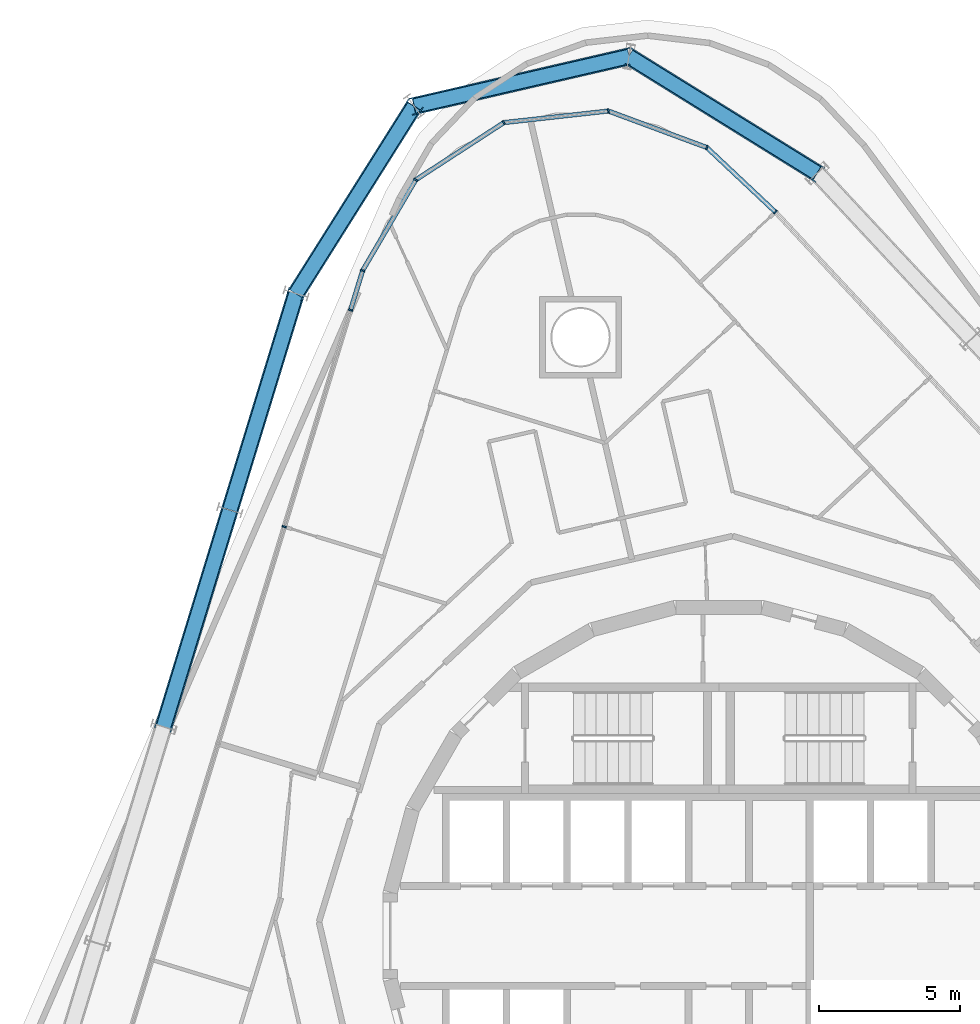
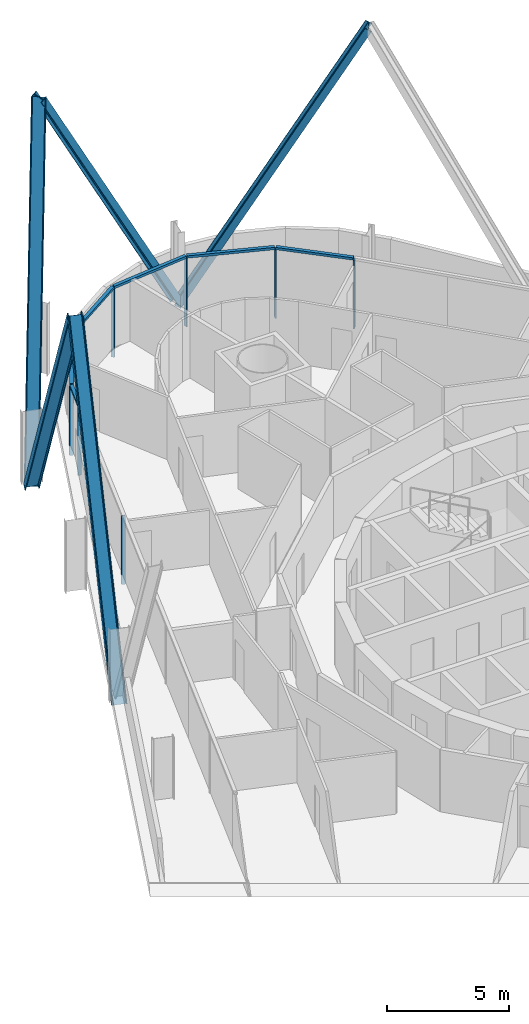
# One storey, part 8 of 18: 19 members, 2 elements without a shape of their own.
"""IFC4 building model written with IfcOpenShell, lengths in metres."""

from ifc_helpers import new_model, si_unit, direction, frame, origin, origin_2d, place, context, subcontext, project, spatial, rectangle, i_section, extrude, material, layer, layer_set, material_profile, profile_set, type_object, element, aggregate, save


model = new_model("IFC4")

# Units and contexts
model_context = context("Model", 3, precision=1e-05, world=origin(), true_north=direction((0.0, 1.0)))
body_context = subcontext(model_context, "Body", "Model", "MODEL_VIEW")
ifc_project = project(units=[si_unit("LENGTHUNIT", "METRE"), si_unit("AREAUNIT", "SQUARE_METRE"), si_unit("VOLUMEUNIT", "CUBIC_METRE"), si_unit("PLANEANGLEUNIT", "RADIAN"), si_unit("MASSUNIT", "GRAM", prefix="KILO")], contexts=[model_context])

# Site, building, storey
site_placement = place(None, origin())
site = spatial("IfcSite", under=ifc_project, at=site_placement, CompositionType="ELEMENT")
building_placement = place(site_placement, origin())
building = spatial("IfcBuilding", under=site, at=building_placement, Name="Spindle Arch Residences", CompositionType="ELEMENT")
storey_placement = place(building_placement, frame((0.0, 0.0, 113.39990234375)))
storey = spatial("IfcBuildingStorey", under=building, at=storey_placement, Name="L27", CompositionType="ELEMENT", Elevation=113.39990234375)

# Curtain wall, members
ifc_material_1 = material(Name="Aluminium bronze unitised frame with tinted glass", Category="aluminium")
ifc_layer_1 = layer(ifc_material_1, 0.159912109375)
ifc_layer_set_1 = layer_set([ifc_layer_1], Name="CW-D corner wall on the fillet arcs")
curtain_wall_type_1 = type_object("IfcCurtainWallType", Name="CW-D corner wall on the fillet arcs", PredefinedType="NOTDEFINED", material=ifc_layer_set_1)
curtain_wall_1_placement = place(storey_placement, origin())
curtain_wall_1 = element("IfcCurtainWall", 1, at=curtain_wall_1_placement, inside=storey, type_object=curtain_wall_type_1, Name="CW-D L27 run 3", PredefinedType="NOTDEFINED")
ifc_material_2 = material(Name="Aluminium bronze anodised mullion", Category="aluminium")
ifc_material_profile_1 = material_profile(ifc_material_2, rectangle(XDim=0.159912109375, YDim=0.06005859375, at=origin_2d()), Name="MU 60x160")
ifc_profile_set_1 = profile_set([ifc_material_profile_1], Name="Aluminium bronze anodised mullion")
member_type_1 = type_object("IfcMemberType", Name="Bronze mullion 60x160", PredefinedType="MULLION", material=ifc_profile_set_1)
member_1_placement = place(storey_placement, frame((2.010009765625, 25.6611328125, -0.449951171875), z_axis=(0.0, 0.0, 1.0), x_axis=(-0.685289870681, -0.728270412102, 0.0)))
member_1 = element("IfcMember", 2, at=member_1_placement, type_object=member_type_1, Name="CW-D mullion 00", PredefinedType="MULLION", context=body_context, shape_type="SweptSolid", body=[
    extrude(rectangle(XDim=0.159912109375, YDim=0.06005859375, at=origin_2d()), origin(), (0.0, 0.0, 1.0), 3.449951171875),
])
member_2_placement = place(storey_placement, frame((-0.420654296875, 27.9482421875, -0.449951171875), z_axis=(0.0, 0.0, 1.0), x_axis=(-0.347481235896, -0.937686936403, 0.0)))
member_2 = element("IfcMember", 3, at=member_2_placement, type_object=member_type_1, Name="CW-D mullion 01", PredefinedType="MULLION", context=body_context, shape_type="SweptSolid", body=[
    extrude(rectangle(XDim=0.159912109375, YDim=0.06005859375, at=origin_2d()), origin(), (0.0, 0.0, 1.0), 3.449951171875),
])
member_3_placement = place(storey_placement, frame((-3.9150390625, 29.243408203125, -0.449951171875), z_axis=(0.0, 0.0, 1.0), x_axis=(0.110312556619, -0.993896946294, 0.0)))
member_3 = element("IfcMember", 4, at=member_3_placement, type_object=member_type_1, Name="CW-D mullion 02", PredefinedType="MULLION", context=body_context, shape_type="SweptSolid", body=[
    extrude(rectangle(XDim=0.159912109375, YDim=0.06005859375, at=origin_2d()), origin(), (0.0, 0.0, 1.0), 3.449951171875),
])
member_4_placement = place(storey_placement, frame((-7.619140625, 28.832275390625, -0.449951171875), z_axis=(0.0, 0.0, 1.0), x_axis=(0.544639035308, -0.838670567755, 0.0)))
member_4 = element("IfcMember", 5, at=member_4_placement, type_object=member_type_1, Name="CW-D mullion 03", PredefinedType="MULLION", context=body_context, shape_type="SweptSolid", body=[
    extrude(rectangle(XDim=0.159912109375, YDim=0.06005859375, at=origin_2d()), origin(), (0.0, 0.0, 1.0), 3.449951171875),
])
member_5_placement = place(storey_placement, frame((-10.74462890625, 26.802490234375, -0.449951171875), z_axis=(0.0, 0.0, 1.0), x_axis=(0.863101880723, -0.505029844161, 0.0)))
member_5 = element("IfcMember", 6, at=member_5_placement, type_object=member_type_1, Name="CW-D mullion 04", PredefinedType="MULLION", context=body_context, shape_type="SweptSolid", body=[
    extrude(rectangle(XDim=0.159912109375, YDim=0.06005859375, at=origin_2d()), origin(), (0.0, 0.0, 1.0), 3.449951171875),
])
member_6_placement = place(storey_placement, frame((-12.626708984375, 23.5859375, -0.449951171875), z_axis=(0.0, 0.0, 1.0), x_axis=(0.956304755963, -0.292371704723, 0.0)))
member_6 = element("IfcMember", 7, at=member_6_placement, type_object=member_type_1, Name="CW-D mullion 05", PredefinedType="MULLION", context=body_context, shape_type="SweptSolid", body=[
    extrude(rectangle(XDim=0.159912109375, YDim=0.06005859375, at=origin_2d()), origin(), (0.0, 0.0, 1.0), 3.449951171875),
])

ifc_material_3 = material(Name="Aluminium bronze unitised frame with tinted glass", Category="aluminium")
ifc_layer_2 = layer(ifc_material_3, 0.159912109375)
ifc_layer_set_2 = layer_set([ifc_layer_2], Name="CW-C typical residential unitised wall")
curtain_wall_type_2 = type_object("IfcCurtainWallType", Name="CW-C typical residential unitised wall", PredefinedType="NOTDEFINED", material=ifc_layer_set_2)
curtain_wall_2_placement = place(storey_placement, origin())
curtain_wall_2 = element("IfcCurtainWall", 8, at=curtain_wall_2_placement, inside=storey, type_object=curtain_wall_type_2, Name="CW-C L27 run 4", PredefinedType="NOTDEFINED")
member_7_placement = place(storey_placement, frame((-13.0556640625, 22.182861328125, -0.449951171875), z_axis=(0.0, 0.0, 1.0), x_axis=(0.956304755963, -0.292371704723, 0.0)))
member_7 = element("IfcMember", 9, at=member_7_placement, type_object=member_type_1, Name="CW-C mullion 12", PredefinedType="MULLION", context=body_context, shape_type="SweptSolid", body=[
    extrude(rectangle(XDim=0.159912109375, YDim=0.06005859375, at=origin_2d()), origin(), (0.0, 0.0, 1.0), 3.449951171875),
])
member_8_placement = place(storey_placement, frame((-15.4033203125, 14.504638671875, -0.449951171875), z_axis=(0.0, 0.0, 1.0), x_axis=(0.956304755963, -0.292371704723, 0.0)))
member_8 = element("IfcMember", 10, at=member_8_placement, type_object=member_type_1, Name="CW-C mullion 13", PredefinedType="MULLION", context=body_context, shape_type="SweptSolid", body=[
    extrude(rectangle(XDim=0.159912109375, YDim=0.06005859375, at=origin_2d()), origin(), (0.0, 0.0, 1.0), 3.449951171875),
])
aggregate(curtain_wall_2, [member_7, member_8])

# Member
ifc_material_4 = material(Name="Aluminium bronze anodised transom", Category="aluminium")
ifc_material_profile_2 = material_profile(ifc_material_4, rectangle(XDim=0.159912109375, YDim=0.1201171875, at=origin_2d()), Name="TR 120x160")
ifc_profile_set_2 = profile_set([ifc_material_profile_2], Name="Aluminium bronze anodised transom")
member_type_2 = type_object("IfcMemberType", Name="Bronze transom 120x160", PredefinedType="USERDEFINED", material=ifc_profile_set_2)
member_9_placement = place(storey_placement, frame((1.98828125, 25.681640625, 3.06005859375), z_axis=(-0.72826996669, 0.685290344027, 0.0), x_axis=(-0.685290344027, -0.72826996669, 0.0)))
member_9 = element("IfcMember", 11, at=member_9_placement, type_object=member_type_2, Name="CW-D transom 00", ObjectType="TRANSOM", PredefinedType="USERDEFINED", context=body_context, shape_type="SweptSolid", body=[
    extrude(rectangle(XDim=0.159912109375, YDim=0.1201171875, at=origin_2d()), origin(), (0.0, 0.0, 1.0), 3.277587890625),
])

member_10_placement = place(storey_placement, frame((-0.44873046875, 27.958740234375, 3.06005859375), z_axis=(-0.937682080581, 0.347494339172, 0.0), x_axis=(-0.347494339172, -0.937682080581, 0.0)))
member_10 = element("IfcMember", 12, at=member_10_placement, type_object=member_type_2, Name="CW-D transom 01", ObjectType="TRANSOM", PredefinedType="USERDEFINED", context=body_context, shape_type="SweptSolid", body=[
    extrude(rectangle(XDim=0.159912109375, YDim=0.1201171875, at=origin_2d()), origin(), (0.0, 0.0, 1.0), 3.666748046875),
])

member_11_placement = place(storey_placement, frame((-3.945068359375, 29.239990234375, 3.06005859375), z_axis=(-0.993895097359, -0.110329213929, 0.0), x_axis=(0.110329213929, -0.993895097359, 0.0)))
member_11 = element("IfcMember", 13, at=member_11_placement, type_object=member_type_2, Name="CW-D transom 02", ObjectType="TRANSOM", PredefinedType="USERDEFINED", context=body_context, shape_type="SweptSolid", body=[
    extrude(rectangle(XDim=0.159912109375, YDim=0.1201171875, at=origin_2d()), origin(), (0.0, 0.0, 1.0), 3.666748046875),
])

member_12_placement = place(storey_placement, frame((-7.644287109375, 28.81591796875, 3.06005859375), z_axis=(-0.838668683676, -0.544641936525, 0.0), x_axis=(0.544641936525, -0.838668683676, 0.0)))
member_12 = element("IfcMember", 14, at=member_12_placement, type_object=member_type_2, Name="CW-D transom 03", ObjectType="TRANSOM", PredefinedType="USERDEFINED", context=body_context, shape_type="SweptSolid", body=[
    extrude(rectangle(XDim=0.159912109375, YDim=0.1201171875, at=origin_2d()), origin(), (0.0, 0.0, 1.0), 3.666748046875),
])

member_13_placement = place(storey_placement, frame((-10.759765625, 26.776611328125, 3.06005859375), z_axis=(-0.505025585574, -0.86310437255, 0.0), x_axis=(0.86310437255, -0.505025585574, 0.0)))
member_13 = element("IfcMember", 15, at=member_13_placement, type_object=member_type_2, Name="CW-D transom 04", ObjectType="TRANSOM", PredefinedType="USERDEFINED", context=body_context, shape_type="SweptSolid", body=[
    extrude(rectangle(XDim=0.159912109375, YDim=0.1201171875, at=origin_2d()), origin(), (0.0, 0.0, 1.0), 3.666748046875),
])

member_14_placement = place(storey_placement, frame((-12.635498046875, 23.55712890625, 3.06005859375), z_axis=(-0.292390464398, -0.956299020354, 0.0), x_axis=(0.956299020354, -0.292390464398, 0.0)))
member_14 = element("IfcMember", 16, at=member_14_placement, type_object=member_type_2, Name="CW-D transom 05", ObjectType="TRANSOM", PredefinedType="USERDEFINED", context=body_context, shape_type="SweptSolid", body=[
    extrude(rectangle(XDim=0.159912109375, YDim=0.1201171875, at=origin_2d()), origin(), (0.0, 0.0, 1.0), 1.406982421875),
])

aggregate(curtain_wall_1, [member_1, member_9, member_2, member_10, member_3, member_11, member_4, member_12, member_5, member_13, member_6, member_14])

# Members
ifc_material_5 = material(Name="Steel S460ML, intumescent coating R 240", Category="steel")
ifc_material_profile_3 = material_profile(ifc_material_5, i_section(OverallWidth=0.304931640625, OverallDepth=0.6201171875, WebThickness=0.02099609375, FlangeThickness=0.0400390625, FilletRadius=0.027099609375, at=origin_2d()), Name="HEM 600")
ifc_profile_set_3 = profile_set([ifc_material_profile_3], Name="Steel S460ML, intumescent coating R 240")
member_type_3 = type_object("IfcMemberType", Name="Diagrid diagonal HEM 600", PredefinedType="BRACE", material=ifc_profile_set_3)
member_15_placement = place(storey_placement, frame((-3.185302734375, 31.177001953125, -0.699951171875), z_axis=(0.41412420879, -0.256829436866, 0.873235237524), x_axis=(-0.742106847152, 0.460236034511, 0.487298902058)))
element("IfcMember", 17, at=member_15_placement, inside=storey, type_object=member_type_3, Name="Diagrid diagonal 3.1.10", PredefinedType="BRACE", context=body_context, shape_type="SweptSolid", body=[
    extrude(i_section(OverallWidth=0.304931640625, OverallDepth=0.6201171875, WebThickness=0.02099609375, FlangeThickness=0.0400390625, FilletRadius=0.027099609375, at=origin_2d()), origin(), (0.0, 0.0, 1.0), 16.112548828125),
])
member_16_placement = place(storey_placement, frame((-3.185302734375, 31.177001953125, -0.699951171875), z_axis=(-0.473315966441, -0.109278095883, 0.874088264234), x_axis=(0.851683665826, 0.196634755416, 0.48576713179)))
element("IfcMember", 18, at=member_16_placement, inside=storey, type_object=member_type_3, Name="Diagrid diagonal 3.1.11", PredefinedType="BRACE", context=body_context, shape_type="SweptSolid", body=[
    extrude(i_section(OverallWidth=0.304931640625, OverallDepth=0.6201171875, WebThickness=0.02099609375, FlangeThickness=0.0400390625, FilletRadius=0.027099609375, at=origin_2d()), origin(), (0.0, 0.0, 1.0), 16.096923828125),
])
member_17_placement = place(storey_placement, frame((-14.9873046875, 22.7734375, -0.699951171875), z_axis=(0.259617481017, 0.41238177678, 0.873235382775), x_axis=(-0.465232510371, -0.738984942353, 0.487298641769)))
element("IfcMember", 19, at=member_17_placement, inside=storey, type_object=member_type_3, Name="Diagrid diagonal 3.1.12", PredefinedType="BRACE", context=body_context, shape_type="SweptSolid", body=[
    extrude(i_section(OverallWidth=0.304931640625, OverallDepth=0.6201171875, WebThickness=0.02099609375, FlangeThickness=0.0400390625, FilletRadius=0.027099609375, at=origin_2d()), origin(), (0.0, 0.0, 1.0), 16.112548828125),
])
for number, where, z_axis, x_axis, name in (
    (20, (-14.9873046875, 22.7734375, -0.699951171875), (-0.144918870133, -0.473970306332, 0.868533631931), (0.25395325715, 0.830577156547, 0.495630235362), "Diagrid diagonal 3.1.13"),
    (21, (-19.682373046875, 7.4169921875, -0.699951171875), (0.144904115992, 0.473971341439, 0.868535528728), (-0.253929659779, -0.83058635466, 0.495626911434), "Diagrid diagonal 3.1.14"),
):
    element("IfcMember", number, at=place(storey_placement, frame(where, z_axis=z_axis, x_axis=x_axis)), inside=storey, type_object=member_type_3, Name=name, PredefinedType="BRACE", context=body_context, shape_type="SweptSolid", body=[
        extrude(i_section(OverallWidth=0.304931640625, OverallDepth=0.6201171875, WebThickness=0.02099609375, FlangeThickness=0.0400390625, FilletRadius=0.027099609375, at=origin_2d()), origin(), (0.0, 0.0, 1.0), 16.19970703125),
    ])

save(model, "model.ifc")
